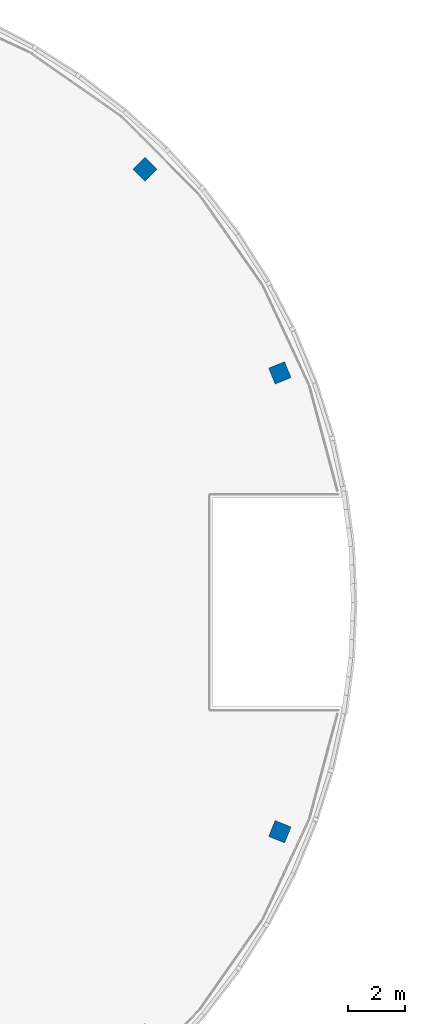
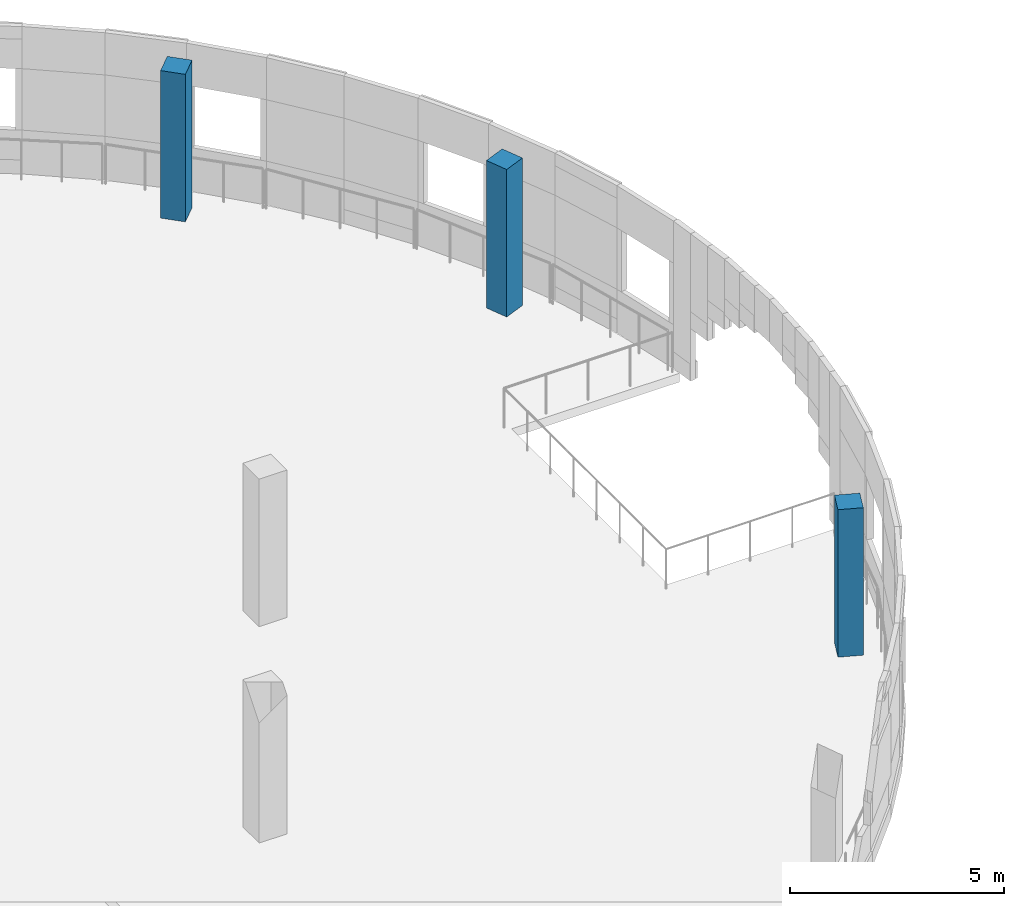
# One storey, part 21 of 135: 3 columns.
"""IFC4 building model written with IfcOpenShell, lengths in metres."""

from ifc_helpers import new_model, si_unit, direction, frame, origin, origin_2d, place, context, subcontext, project, spatial, rectangle, extrude, material, material_profile, profile_set, type_object, element, save


model = new_model("IFC4")

# Units and contexts
model_context = context("Model", 3, precision=1e-05, world=origin(), true_north=direction((0.0, 1.0)))
body_context = subcontext(model_context, "Body", "Model", "MODEL_VIEW")
ifc_project = project(units=[si_unit("LENGTHUNIT", "METRE"), si_unit("AREAUNIT", "SQUARE_METRE"), si_unit("VOLUMEUNIT", "CUBIC_METRE"), si_unit("PLANEANGLEUNIT", "RADIAN"), si_unit("MASSUNIT", "GRAM", prefix="KILO")], contexts=[model_context])

# Site, building, storey
site_placement = place(None, origin())
site = spatial("IfcSite", under=ifc_project, at=site_placement, CompositionType="ELEMENT")
building_placement = place(site_placement, origin())
building = spatial("IfcBuilding", under=site, at=building_placement, Name="Deido Ridge Mobility Hub", CompositionType="ELEMENT")
storey_placement = place(building_placement, frame((0.0, 0.0, 4.199951171875)))
storey = spatial("IfcBuildingStorey", under=building, at=storey_placement, Name="L01", CompositionType="ELEMENT", Elevation=4.199951171875)

# Columns
ifc_material = material(Name="Concrete C40/50", Category="concrete")
ifc_material_profile = material_profile(ifc_material, rectangle(XDim=0.60009765625, YDim=0.60009765625, at=origin_2d()), Name="RC COL 600x600")
ifc_profile_set = profile_set([ifc_material_profile], Name="Concrete C40/50")
column_type = type_object("IfcColumnType", Name="COL-RC600", PredefinedType="COLUMN", material=ifc_profile_set)
for number, where, z_axis, x_axis, name in (
    (1, (136.88818359375, 95.464599609375, 0.0), (0.0, 0.0, 1.0), (0.927183854567, -0.374606593416, 0.0), "Structural column RC2"),
    (2, (136.88818359375, 111.535400390625, 0.0), (0.0, 0.0, 1.0), (0.927183854567, 0.374606593416, 0.0), "Structural column RC2"),
    (3, (132.16748046875, 118.66748046875, 0.0), (0.0, 0.0, 1.0), (0.707106781187, 0.707106781187, 0.0), "Structural column RC2"),
):
    element("IfcColumn", number, at=place(storey_placement, frame(where, z_axis=z_axis, x_axis=x_axis)), inside=storey, type_object=column_type, Name=name, PredefinedType="COLUMN", context=body_context, shape_type="SweptSolid", body=[
        extrude(rectangle(XDim=0.60009765625, YDim=0.60009765625, at=origin_2d()), origin(), (0.0, 0.0, 1.0), 4.199951171875),
    ])

save(model, "model.ifc")
